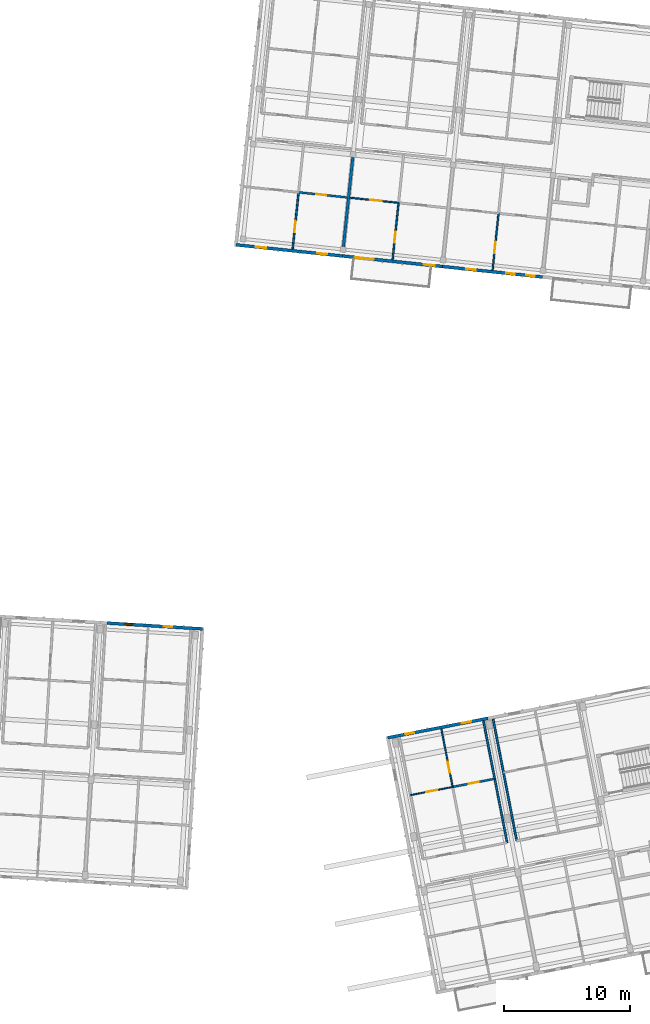
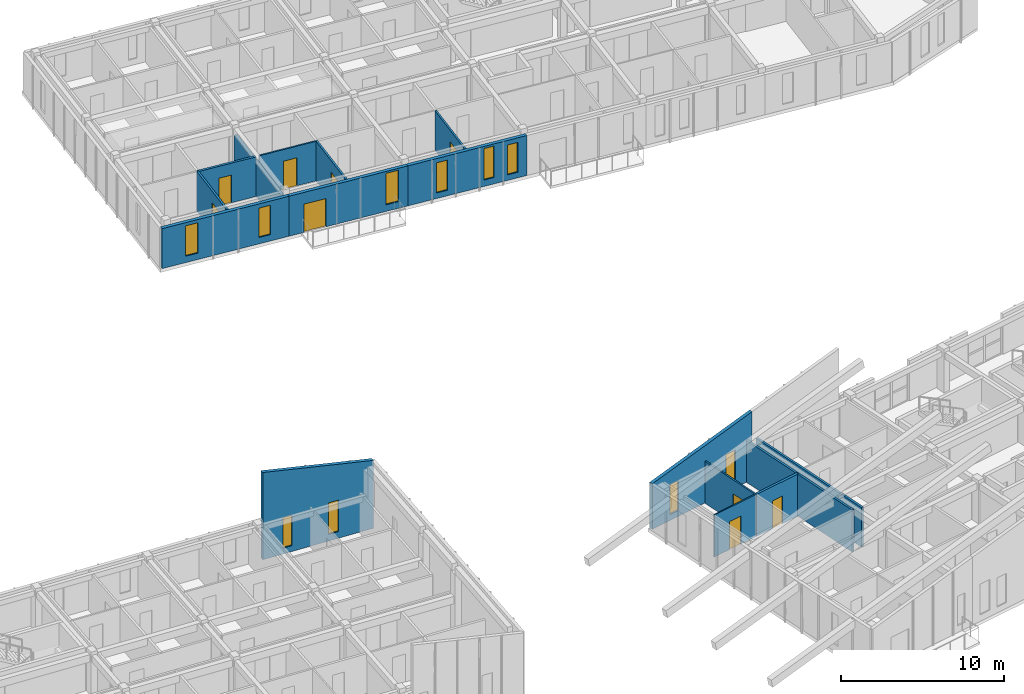
# One storey, part 29 of 64: 16 walls, 10 windows, 9 doors, 19 openings.
"""IFC4 building model written with IfcOpenShell, lengths in metres."""

from ifc_helpers import new_model, si_unit, direction, frame, frame_2d, origin, place, context, subcontext, project, spatial, polyline, rectangle, outline, extrude, material, layer, layer_set, type_object, element, fill, save


model = new_model("IFC4")

# Units and contexts
model_context = context("Model", 3, precision=1e-05, world=origin(), true_north=direction((0.0, 1.0)))
body_context = subcontext(model_context, "Body", "Model", "MODEL_VIEW")
ifc_project = project(units=[si_unit("LENGTHUNIT", "METRE"), si_unit("AREAUNIT", "SQUARE_METRE"), si_unit("VOLUMEUNIT", "CUBIC_METRE"), si_unit("PLANEANGLEUNIT", "RADIAN"), si_unit("MASSUNIT", "GRAM", prefix="KILO")], contexts=[model_context])

# Site, building, storey
site_placement = place(None, origin())
site = spatial("IfcSite", under=ifc_project, at=site_placement, CompositionType="ELEMENT")
building_placement = place(site_placement, origin())
building = spatial("IfcBuilding", under=site, at=building_placement, Name="Kestramere Prow Commons", CompositionType="ELEMENT")
storey_placement = place(building_placement, frame((0.0, 0.0, 24.64990234375)))
storey = spatial("IfcBuildingStorey", under=building, at=storey_placement, Name="L07", CompositionType="ELEMENT", Elevation=24.64990234375)

# Wall, openings, windows
ifc_material_1 = material(Name="Fluoropolymer Standing-Seam Zinc-Aluminium Cladding", Category="aluminium")
ifc_layer_1 = layer(ifc_material_1, 0.239990234375)
ifc_layer_set_1 = layer_set([ifc_layer_1], Name="Fluoropolymer Standing-Seam Zinc-Aluminium Cladding")
wall_type_1 = type_object("IfcWallType", Name="EW-SEAM-240", PredefinedType="SOLIDWALL", material=ifc_layer_set_1)
wall_1_placement = place(storey_placement, frame((117.9013671875, 93.441650390625, 0.0), z_axis=(0.0, 0.0, 1.0), x_axis=(-0.994521760736, 0.104529744196, 0.0)))
wall_1 = element("IfcWall", 1, at=wall_1_placement, inside=storey, type_object=wall_type_1, Name="Block B L07 South Standing-Seam Wall 1", PredefinedType="SOLIDWALL", context=body_context, shape_type="SweptSolid", body=[
    extrude(rectangle(XDim=8.52490234375, YDim=0.239990234375, at=frame_2d((4.262451171875, 0.0))), origin(), (0.0, 0.0, 1.0), 3.0),
])
opening_1_placement = place(wall_1_placement, frame((1.234619140625, 0.0, 0.47998046875)))
opening_1 = element("IfcOpeningElement", 2, at=opening_1_placement, cuts=wall_1, Name="Opening WN-11", PredefinedType="OPENING", context=body_context, shape_type="SweptSolid", body=[
    extrude(rectangle(XDim=0.780029296875, YDim=2.199951171875, at=frame_2d((0.39013671875, 1.10009765625))), frame((0.0, 0.135009765625, 0.0), z_axis=(0.0, -1.0, 0.0), x_axis=(1.0, 0.0, 0.0)), (0.0, 0.0, 1.0), 0.27001953125),
])
opening_2_placement = place(wall_1_placement, frame((6.107666015625, 0.0, 0.47998046875)))
opening_2 = element("IfcOpeningElement", 3, at=opening_2_placement, cuts=wall_1, Name="Opening WN-14", PredefinedType="OPENING", context=body_context, shape_type="SweptSolid", body=[
    extrude(rectangle(XDim=0.840087890625, YDim=2.280029296875, at=frame_2d((0.419921875, 1.14013671875))), frame((0.0, 0.135009765625, 0.0), z_axis=(0.0, -1.0, 0.0), x_axis=(1.0, 0.0, 0.0)), (0.0, 0.0, 1.0), 0.27001953125),
])
ifc_material_2 = material(Name="Low-E Laminated Double Glazing", Category="glass")
window_type_1 = type_object("IfcWindowType", Name="WN-NAR-780A", PartitioningType="SINGLE_PANEL", PredefinedType="WINDOW", material=ifc_material_2)
window_1_placement = place(opening_1_placement, origin())
window_1 = element("IfcWindow", 4, at=window_1_placement, inside=storey, type_object=window_type_1, Name="WN-B-L07-S-0-00", OverallHeight=2.199951171875, OverallWidth=0.780029296875, PartitioningType="SINGLE_PANEL", PredefinedType="WINDOW", context=body_context, shape_type="SweptSolid", body=[
    extrude(rectangle(XDim=0.780029296875, YDim=2.199951171875, at=frame_2d((0.39013671875, 1.10009765625))), frame((0.0, 0.030029296875, 0.0), z_axis=(0.0, -1.0, 0.0), x_axis=(1.0, 0.0, 0.0)), (0.0, 0.0, 1.0), 0.06005859375),
])
fill(opening_1, window_1)
window_type_2 = type_object("IfcWindowType", Name="WN-NAR-840A", PartitioningType="DOUBLE_PANEL_VERTICAL", PredefinedType="WINDOW", material=ifc_material_2)
window_2_placement = place(opening_2_placement, origin())
window_2 = element("IfcWindow", 5, at=window_2_placement, inside=storey, type_object=window_type_2, Name="WN-B-L07-S-0-10", OverallHeight=2.280029296875, OverallWidth=0.840087890625, PartitioningType="SINGLE_PANEL", PredefinedType="WINDOW", context=body_context, shape_type="SweptSolid", body=[
    extrude(rectangle(XDim=0.840087890625, YDim=2.280029296875, at=frame_2d((0.419921875, 1.14013671875))), frame((0.0, 0.030029296875, 0.0), z_axis=(0.0, -1.0, 0.0), x_axis=(1.0, 0.0, 0.0)), (0.0, 0.0, 1.0), 0.06005859375),
])
fill(opening_2, window_2)

# Wall, openings, door, window
wall_2_placement = place(storey_placement, frame((125.857421875, 92.60546875, 0.0), z_axis=(0.0, 0.0, 1.0), x_axis=(-0.994522329422, 0.104524333444, 0.0)))
wall_2 = element("IfcWall", 6, at=wall_2_placement, inside=storey, type_object=wall_type_1, Name="Block B L07 South Standing-Seam Wall 2", PredefinedType="SOLIDWALL", context=body_context, shape_type="SweptSolid", body=[
    extrude(rectangle(XDim=7.999755859375, YDim=0.239990234375, at=frame_2d((4.0, 0.0))), origin(), (0.0, 0.0, 1.0), 3.0),
])
opening_3_placement = place(wall_2_placement, frame((5.4951171875, 0.0, 0.0)))
opening_3 = element("IfcOpeningElement", 7, at=opening_3_placement, cuts=wall_2, Name="Opening GD-BAL-01", PredefinedType="OPENING", context=body_context, shape_type="SweptSolid", body=[
    extrude(rectangle(XDim=1.5, YDim=2.1201171875, at=frame_2d((0.75, 1.06005859375))), frame((0.0, 0.135009765625, 0.0), z_axis=(0.0, -1.0, 0.0), x_axis=(1.0, 0.0, 0.0)), (0.0, 0.0, 1.0), 0.27001953125),
])
opening_4_placement = place(wall_2_placement, frame((0.6298828125, 0.0, 0.5)))
opening_4 = element("IfcOpeningElement", 8, at=opening_4_placement, cuts=wall_2, Name="Opening WN-15", PredefinedType="OPENING", context=body_context, shape_type="SweptSolid", body=[
    extrude(rectangle(XDim=0.860107421875, YDim=2.360107421875, at=frame_2d((0.43017578125, 1.18017578125))), frame((0.0, 0.135009765625, 0.0), z_axis=(0.0, -1.0, 0.0), x_axis=(1.0, 0.0, 0.0)), (0.0, 0.0, 1.0), 0.27001953125),
])
ifc_material_3 = material(Name="Thermally-Broken Anodised Aluminium Glazed", Category="aluminium")
door_type_1 = type_object("IfcDoorType", Name="GD-BAL-1500", OperationType="SLIDING_TO_RIGHT", PredefinedType="DOOR", material=ifc_material_3)
door_1_placement = place(opening_3_placement, origin())
door_1 = element("IfcDoor", 9, at=door_1_placement, inside=storey, type_object=door_type_1, Name="Block B L07 Balcony Door 2", OperationType="SLIDING_TO_RIGHT", OverallHeight=2.1201171875, OverallWidth=1.5, PredefinedType="DOOR", context=body_context, shape_type="SweptSolid", body=[
    extrude(rectangle(XDim=1.5, YDim=2.1201171875, at=frame_2d((0.75, 1.06005859375))), frame((0.0, 0.02490234375, 0.0), z_axis=(0.0, -1.0, 0.0), x_axis=(1.0, 0.0, 0.0)), (0.0, 0.0, 1.0), 0.050048828125),
])
fill(opening_3, door_1)
window_type_3 = type_object("IfcWindowType", Name="WN-NAR-860A", PartitioningType="DOUBLE_PANEL_VERTICAL", PredefinedType="WINDOW", material=ifc_material_2)
window_3_placement = place(opening_4_placement, origin())
window_3 = element("IfcWindow", 10, at=window_3_placement, inside=storey, type_object=window_type_3, Name="WN-B-L07-SR-1", OverallHeight=2.360107421875, OverallWidth=0.860107421875, PartitioningType="SINGLE_PANEL", PredefinedType="WINDOW", context=body_context, shape_type="SweptSolid", body=[
    extrude(rectangle(XDim=0.860107421875, YDim=2.360107421875, at=frame_2d((0.43017578125, 1.18017578125))), frame((0.0, 0.030029296875, 0.0), z_axis=(0.0, -1.0, 0.0), x_axis=(1.0, 0.0, 0.0)), (0.0, 0.0, 1.0), 0.06005859375),
])
fill(opening_4, window_3)

# Wall, openings, windows
wall_3_placement = place(storey_placement, frame((133.813720703125, 91.769287109375, 0.0), z_axis=(0.0, 0.0, 1.0), x_axis=(-0.994522662826, 0.104521161134, 0.0)))
wall_3 = element("IfcWall", 11, at=wall_3_placement, inside=storey, type_object=wall_type_1, Name="Block B L07 South Standing-Seam Wall 3", PredefinedType="SOLIDWALL", context=body_context, shape_type="SweptSolid", body=[
    extrude(rectangle(XDim=8.0, YDim=0.239990234375, at=frame_2d((4.0, 0.0))), origin(), (0.0, 0.0, 1.0), 3.0),
])
opening_5_placement = place(wall_3_placement, frame((0.610107421875, 0.0, 0.419921875)))
opening_5 = element("IfcOpeningElement", 12, at=opening_5_placement, cuts=wall_3, Name="Opening WN-06", PredefinedType="OPENING", context=body_context, shape_type="SweptSolid", body=[
    extrude(rectangle(XDim=0.679931640625, YDim=2.239990234375, at=frame_2d((0.33984375, 1.1201171875))), frame((0.0, 0.135009765625, 0.0), z_axis=(0.0, -1.0, 0.0), x_axis=(1.0, 0.0, 0.0)), (0.0, 0.0, 1.0), 0.27001953125),
])
opening_6_placement = place(wall_3_placement, frame((2.199951171875, 0.0, 0.47998046875)))
opening_6 = element("IfcOpeningElement", 13, at=opening_6_placement, cuts=wall_3, Name="Opening WN-07", PredefinedType="OPENING", context=body_context, shape_type="SweptSolid", body=[
    extrude(rectangle(XDim=0.699951171875, YDim=2.360107421875, at=frame_2d((0.35009765625, 1.18017578125))), frame((0.0, 0.135009765625, 0.0), z_axis=(0.0, -1.0, 0.0), x_axis=(1.0, 0.0, 0.0)), (0.0, 0.0, 1.0), 0.27001953125),
])
opening_7_placement = place(wall_3_placement, frame((5.340576171875, 0.0, 0.419921875)))
opening_7 = element("IfcOpeningElement", 14, at=opening_7_placement, cuts=wall_3, Name="Opening WN-09", PredefinedType="OPENING", context=body_context, shape_type="SweptSolid", body=[
    extrude(rectangle(XDim=0.739990234375, YDim=2.260009765625, at=frame_2d((0.3701171875, 1.1298828125))), frame((0.0, 0.135009765625, 0.0), z_axis=(0.0, -1.0, 0.0), x_axis=(1.0, 0.0, 0.0)), (0.0, 0.0, 1.0), 0.27001953125),
])
window_type_4 = type_object("IfcWindowType", Name="WN-NAR-680A", PartitioningType="SINGLE_PANEL", PredefinedType="WINDOW", material=ifc_material_2)
window_4_placement = place(opening_5_placement, origin())
window_4 = element("IfcWindow", 15, at=window_4_placement, inside=storey, type_object=window_type_4, Name="WN-B-L07-S-2-00", OverallHeight=2.239990234375, OverallWidth=0.679931640625, PartitioningType="SINGLE_PANEL", PredefinedType="WINDOW", context=body_context, shape_type="SweptSolid", body=[
    extrude(rectangle(XDim=0.679931640625, YDim=2.239990234375, at=frame_2d((0.33984375, 1.1201171875))), frame((0.0, 0.030029296875, 0.0), z_axis=(0.0, -1.0, 0.0), x_axis=(1.0, 0.0, 0.0)), (0.0, 0.0, 1.0), 0.06005859375),
])
fill(opening_5, window_4)
window_type_5 = type_object("IfcWindowType", Name="WN-NAR-700A", PartitioningType="SINGLE_PANEL", PredefinedType="WINDOW", material=ifc_material_2)
window_5_placement = place(opening_6_placement, origin())
window_5 = element("IfcWindow", 16, at=window_5_placement, inside=storey, type_object=window_type_5, Name="WN-B-L07-S-2-01", OverallHeight=2.360107421875, OverallWidth=0.699951171875, PartitioningType="SINGLE_PANEL", PredefinedType="WINDOW", context=body_context, shape_type="SweptSolid", body=[
    extrude(rectangle(XDim=0.699951171875, YDim=2.360107421875, at=frame_2d((0.35009765625, 1.18017578125))), frame((0.0, 0.030029296875, 0.0), z_axis=(0.0, -1.0, 0.0), x_axis=(1.0, 0.0, 0.0)), (0.0, 0.0, 1.0), 0.06005859375),
])
fill(opening_6, window_5)
window_type_6 = type_object("IfcWindowType", Name="WN-NAR-740A", PartitioningType="SINGLE_PANEL", PredefinedType="WINDOW", material=ifc_material_2)
window_6_placement = place(opening_7_placement, origin())
window_6 = element("IfcWindow", 17, at=window_6_placement, inside=storey, type_object=window_type_6, Name="WN-B-L07-S-2-10", OverallHeight=2.260009765625, OverallWidth=0.739990234375, PartitioningType="SINGLE_PANEL", PredefinedType="WINDOW", context=body_context, shape_type="SweptSolid", body=[
    extrude(rectangle(XDim=0.739990234375, YDim=2.260009765625, at=frame_2d((0.3701171875, 1.1298828125))), frame((0.0, 0.030029296875, 0.0), z_axis=(0.0, -1.0, 0.0), x_axis=(1.0, 0.0, 0.0)), (0.0, 0.0, 1.0), 0.06005859375),
])
fill(opening_7, window_6)

wall_4_placement = place(storey_placement, frame((99.181640625, 64.235595703125, 0.0), z_axis=(0.0, 0.0, 1.0), x_axis=(0.998133711765, -0.06106630362, 0.0)))
wall_4 = element("IfcWall", 18, at=wall_4_placement, inside=storey, type_object=wall_type_1, Name="Block C L07 North Standing-Seam Wall 6", PredefinedType="SOLIDWALL", context=body_context, shape_type="SweptSolid", body=[
    extrude(outline(polyline([(0.0, 0.0), (7.60009765625, 0.0), (7.60009765625, 5.085205078125), (0.0, 6.547607421875), (0.0, 0.0)])), frame((0.0, 0.1201171875, 0.0), z_axis=(0.0, -1.0, 0.0), x_axis=(1.0, 0.0, 0.0)), (0.0, 0.0, 1.0), 0.239990234375),
])
opening_8_placement = place(wall_4_placement, frame((1.3759765625, 0.0, 0.43994140625)))
opening_8 = element("IfcOpeningElement", 19, at=opening_8_placement, cuts=wall_4, Name="Opening WN-03", PredefinedType="OPENING", context=body_context, shape_type="SweptSolid", body=[
    extrude(rectangle(XDim=0.6201171875, YDim=2.280029296875, at=frame_2d((0.31005859375, 1.14013671875))), frame((0.0, 0.135009765625, 0.0), z_axis=(0.0, -1.0, 0.0), x_axis=(1.0, 0.0, 0.0)), (0.0, 0.0, 1.0), 0.27001953125),
])
opening_9_placement = place(wall_4_placement, frame((4.504638671875, 0.0, 0.5)))
opening_9 = element("IfcOpeningElement", 20, at=opening_9_placement, cuts=wall_4, Name="Opening WN-07", PredefinedType="OPENING", context=body_context, shape_type="SweptSolid", body=[
    extrude(rectangle(XDim=0.699951171875, YDim=2.360107421875, at=frame_2d((0.35009765625, 1.18017578125))), frame((0.0, 0.135009765625, 0.0), z_axis=(0.0, -1.0, 0.0), x_axis=(1.0, 0.0, 0.0)), (0.0, 0.0, 1.0), 0.27001953125),
])
window_type_7 = type_object("IfcWindowType", Name="WN-NAR-620A", PartitioningType="SINGLE_PANEL", PredefinedType="WINDOW", material=ifc_material_2)
window_7_placement = place(opening_8_placement, origin())
window_7 = element("IfcWindow", 21, at=window_7_placement, inside=storey, type_object=window_type_7, Name="WN-C-L07-N-5-0", OverallHeight=2.280029296875, OverallWidth=0.6201171875, PartitioningType="SINGLE_PANEL", PredefinedType="WINDOW", context=body_context, shape_type="SweptSolid", body=[
    extrude(rectangle(XDim=0.6201171875, YDim=2.280029296875, at=frame_2d((0.31005859375, 1.14013671875))), frame((0.0, 0.030029296875, 0.0), z_axis=(0.0, -1.0, 0.0), x_axis=(1.0, 0.0, 0.0)), (0.0, 0.0, 1.0), 0.06005859375),
])
fill(opening_8, window_7)
window_8_placement = place(opening_9_placement, origin())
window_8 = element("IfcWindow", 22, at=window_8_placement, inside=storey, type_object=window_type_5, Name="WN-C-L07-N-5-1", OverallHeight=2.360107421875, OverallWidth=0.699951171875, PartitioningType="SINGLE_PANEL", PredefinedType="WINDOW", context=body_context, shape_type="SweptSolid", body=[
    extrude(rectangle(XDim=0.699951171875, YDim=2.360107421875, at=frame_2d((0.35009765625, 1.18017578125))), frame((0.0, 0.030029296875, 0.0), z_axis=(0.0, -1.0, 0.0), x_axis=(1.0, 0.0, 0.0)), (0.0, 0.0, 1.0), 0.06005859375),
])
fill(opening_9, window_8)

wall_5_placement = place(storey_placement, frame((121.5048828125, 55.105224609375, 0.0), z_axis=(0.0, 0.0, 1.0), x_axis=(0.981628367112, 0.190802905848, 0.0)))
wall_5 = element("IfcWall", 23, at=wall_5_placement, inside=storey, type_object=wall_type_1, Name="Block D L07 North Standing-Seam Wall 2", PredefinedType="SOLIDWALL", context=body_context, shape_type="SweptSolid", body=[
    extrude(outline(polyline([(0.0, 0.0), (8.125, 0.0), (8.125, 5.0908203125), (0.0, 3.4091796875), (0.0, 0.0)])), frame((0.0, 0.1201171875, 0.0), z_axis=(0.0, -1.0, 0.0), x_axis=(1.0, 0.0, 0.0)), (0.0, 0.0, 1.0), 0.239990234375),
])
opening_10_placement = place(wall_5_placement, frame((1.446533203125, 0.0, 0.43994140625)))
opening_10 = element("IfcOpeningElement", 24, at=opening_10_placement, cuts=wall_5, Name="Opening WN-06", PredefinedType="OPENING", context=body_context, shape_type="SweptSolid", body=[
    extrude(rectangle(XDim=0.679931640625, YDim=2.239990234375, at=frame_2d((0.33984375, 1.1201171875))), frame((0.0, 0.135009765625, 0.0), z_axis=(0.0, -1.0, 0.0), x_axis=(1.0, 0.0, 0.0)), (0.0, 0.0, 1.0), 0.27001953125),
])
opening_11_placement = place(wall_5_placement, frame((6.0009765625, 0.0, 0.5)))
opening_11 = element("IfcOpeningElement", 25, at=opening_11_placement, cuts=wall_5, Name="Opening WN-10", PredefinedType="OPENING", context=body_context, shape_type="SweptSolid", body=[
    extrude(rectangle(XDim=0.760009765625, YDim=2.340087890625, at=frame_2d((0.3798828125, 1.169921875))), frame((0.0, 0.135009765625, 0.0), z_axis=(0.0, -1.0, 0.0), x_axis=(1.0, 0.0, 0.0)), (0.0, 0.0, 1.0), 0.27001953125),
])
window_9_placement = place(opening_10_placement, origin())
window_9 = element("IfcWindow", 26, at=window_9_placement, inside=storey, type_object=window_type_4, Name="WN-D-L07-N-1-0", OverallHeight=2.239990234375, OverallWidth=0.679931640625, PartitioningType="SINGLE_PANEL", PredefinedType="WINDOW", context=body_context, shape_type="SweptSolid", body=[
    extrude(rectangle(XDim=0.679931640625, YDim=2.239990234375, at=frame_2d((0.33984375, 1.1201171875))), frame((0.0, 0.030029296875, 0.0), z_axis=(0.0, -1.0, 0.0), x_axis=(1.0, 0.0, 0.0)), (0.0, 0.0, 1.0), 0.06005859375),
])
fill(opening_10, window_9)
window_type_8 = type_object("IfcWindowType", Name="WN-NAR-760A", PartitioningType="SINGLE_PANEL", PredefinedType="WINDOW", material=ifc_material_2)
window_10_placement = place(opening_11_placement, origin())
window_10 = element("IfcWindow", 27, at=window_10_placement, inside=storey, type_object=window_type_8, Name="WN-D-L07-N-1-1", OverallHeight=2.340087890625, OverallWidth=0.760009765625, PartitioningType="SINGLE_PANEL", PredefinedType="WINDOW", context=body_context, shape_type="SweptSolid", body=[
    extrude(rectangle(XDim=0.760009765625, YDim=2.340087890625, at=frame_2d((0.3798828125, 1.169921875))), frame((0.0, 0.030029296875, 0.0), z_axis=(0.0, -1.0, 0.0), x_axis=(1.0, 0.0, 0.0)), (0.0, 0.0, 1.0), 0.06005859375),
])
fill(opening_11, window_10)

# Wall, opening, door
ifc_material_4 = material(Name="Gypsum Acoustic Drywall")
ifc_layer_2 = layer(ifc_material_4, 0.110107421875)
ifc_layer_set_2 = layer_set([ifc_layer_2], Name="Gypsum Acoustic Drywall")
wall_type_2 = type_object("IfcWallType", Name="W-PART-110", PredefinedType="PARTITIONING", material=ifc_layer_set_2)
wall_6_placement = place(storey_placement, frame((118.50439453125, 98.0791015625, 0.0), z_axis=(0.0, 0.0, 1.0), x_axis=(0.994517841934, -0.104567021925, 0.0)))
wall_6 = element("IfcWall", 28, at=wall_6_placement, inside=storey, type_object=wall_type_2, Name="Interior Partition PW-B-L07-MIDS1-1", PredefinedType="PARTITIONING", context=body_context, shape_type="SweptSolid", body=[
    extrude(rectangle(XDim=3.885009765625, YDim=0.110107421875, at=frame_2d((1.9423828125, 0.0))), origin(), (0.0, 0.0, 1.0), 2.97021484375),
])
opening_12_placement = place(wall_6_placement, frame((1.625, 0.0, 0.0)))
opening_12 = element("IfcOpeningElement", 29, at=opening_12_placement, cuts=wall_6, Name="Opening ID-08", PredefinedType="OPENING", context=body_context, shape_type="SweptSolid", body=[
    extrude(rectangle(XDim=0.89990234375, YDim=2.10009765625, at=frame_2d((0.449951171875, 1.050048828125))), frame((0.0, 0.070068359375, 0.0), z_axis=(0.0, -1.0, 0.0), x_axis=(1.0, 0.0, 0.0)), (0.0, 0.0, 1.0), 0.14013671875),
])
ifc_material_5 = material(Name="Engineered Timber Flush Door", Category="wood")
door_type_2 = type_object("IfcDoorType", Name="D-RM-01", OperationType="NOTDEFINED", PredefinedType="DOOR", material=ifc_material_5)
door_2_placement = place(opening_12_placement, origin())
door_2 = element("IfcDoor", 30, at=door_2_placement, inside=storey, type_object=door_type_2, Name="Interior Door DR-B-L07-KL-S1", OperationType="SINGLE_SWING_RIGHT", OverallHeight=2.10009765625, OverallWidth=0.89990234375, PredefinedType="DOOR", context=body_context, shape_type="SweptSolid", body=[
    extrude(rectangle(XDim=0.89990234375, YDim=2.10009765625, at=frame_2d((0.449951171875, 1.050048828125))), frame((0.0, 0.02490234375, 0.0), z_axis=(0.0, -1.0, 0.0), x_axis=(1.0, 0.0, 0.0)), (0.0, 0.0, 1.0), 0.050048828125),
])
fill(opening_12, door_2)

wall_7_placement = place(storey_placement, frame((126.671142578125, 51.194091796875, 0.0), z_axis=(0.0, 0.0, 1.0), x_axis=(-0.190787451574, 0.981631370893, 0.0)))
wall_7 = element("IfcWall", 31, at=wall_7_placement, inside=storey, type_object=wall_type_2, Name="Interior Partition PW-D-L07-LB-N1", PredefinedType="PARTITIONING", context=body_context, shape_type="SweptSolid", body=[
    extrude(rectangle(XDim=4.68994140625, YDim=0.110107421875, at=frame_2d((2.344970703125, 0.0))), origin(), (0.0, 0.0, 1.0), 3.150146484375),
])
opening_13_placement = place(wall_7_placement, frame((1.14990234375, 0.0, 0.0)))
opening_13 = element("IfcOpeningElement", 32, at=opening_13_placement, cuts=wall_7, Name="Opening ID-08", PredefinedType="OPENING", context=body_context, shape_type="SweptSolid", body=[
    extrude(rectangle(XDim=0.89990234375, YDim=2.10009765625, at=frame_2d((0.449951171875, 1.050048828125))), frame((0.0, 0.070068359375, 0.0), z_axis=(0.0, -1.0, 0.0), x_axis=(1.0, 0.0, 0.0)), (0.0, 0.0, 1.0), 0.14013671875),
])
door_3_placement = place(opening_13_placement, origin())
door_3 = element("IfcDoor", 33, at=door_3_placement, inside=storey, type_object=door_type_2, Name="Interior Door DR-D-L07-BED-N1", OperationType="SINGLE_SWING_LEFT", OverallHeight=2.10009765625, OverallWidth=0.89990234375, PredefinedType="DOOR", context=body_context, shape_type="SweptSolid", body=[
    extrude(rectangle(XDim=0.89990234375, YDim=2.10009765625, at=frame_2d((0.449951171875, 1.050048828125))), frame((0.0, 0.02490234375, 0.0), z_axis=(0.0, -1.0, 0.0), x_axis=(1.0, 0.0, 0.0)), (0.0, 0.0, 1.0), 0.050048828125),
])
fill(opening_13, door_3)

ifc_material_6 = material(Name="Lightweight Blockwork and Plaster", Category="masonry")
ifc_layer_3 = layer(ifc_material_6, 0.1201171875)
ifc_layer_set_3 = layer_set([ifc_layer_3], Name="Lightweight Blockwork and Plaster")
wall_type_3 = type_object("IfcWallType", Name="W-PART-120", PredefinedType="PARTITIONING", material=ifc_layer_set_3)
wall_8_placement = place(storey_placement, frame((129.849609375, 92.321533203125, 0.0), z_axis=(0.0, 0.0, 1.0), x_axis=(0.104539221709, 0.994520764552, 0.0)))
wall_8 = element("IfcWall", 34, at=wall_8_placement, inside=storey, type_object=wall_type_3, Name="Interior Partition PW-B-L07-LB-S2", PredefinedType="PARTITIONING", context=body_context, shape_type="SweptSolid", body=[
    extrude(rectangle(XDim=4.5400390625, YDim=0.1201171875, at=frame_2d((2.27001953125, 0.0))), origin(), (0.0, 0.0, 1.0), 2.97021484375),
])
opening_14_placement = place(wall_8_placement, frame((1.35009765625, 0.0, 0.0)))
opening_14 = element("IfcOpeningElement", 35, at=opening_14_placement, cuts=wall_8, Name="Opening ID-08", PredefinedType="OPENING", context=body_context, shape_type="SweptSolid", body=[
    extrude(rectangle(XDim=0.89990234375, YDim=2.10009765625, at=frame_2d((0.449951171875, 1.050048828125))), frame((0.0, 0.074951171875, 0.0), z_axis=(0.0, -1.0, 0.0), x_axis=(1.0, 0.0, 0.0)), (0.0, 0.0, 1.0), 0.150146484375),
])
door_4_placement = place(opening_14_placement, origin())
door_4 = element("IfcDoor", 36, at=door_4_placement, inside=storey, type_object=door_type_2, Name="Interior Door DR-B-L07-BED-S2", OperationType="SINGLE_SWING_LEFT", OverallHeight=2.10009765625, OverallWidth=0.89990234375, PredefinedType="DOOR", context=body_context, shape_type="SweptSolid", body=[
    extrude(rectangle(XDim=0.89990234375, YDim=2.10009765625, at=frame_2d((0.449951171875, 1.050048828125))), frame((0.0, 0.02490234375, 0.0), z_axis=(0.0, -1.0, 0.0), x_axis=(1.0, 0.0, 0.0)), (0.0, 0.0, 1.0), 0.050048828125),
])
fill(opening_14, door_4)

ifc_layer_4 = layer(ifc_material_6, 0.1298828125)
ifc_layer_set_4 = layer_set([ifc_layer_4], Name="Lightweight Blockwork and Plaster")
wall_type_4 = type_object("IfcWallType", Name="W-PART-130", PredefinedType="PARTITIONING", material=ifc_layer_set_4)
wall_9_placement = place(storey_placement, frame((121.8935546875, 93.15771484375, 0.0), z_axis=(0.0, 0.0, 1.0), x_axis=(0.104539221709, 0.994520764552, 0.0)))
wall_9 = element("IfcWall", 37, at=wall_9_placement, inside=storey, type_object=wall_type_4, Name="Interior Partition PW-B-L07-LB-S1", PredefinedType="PARTITIONING", context=body_context, shape_type="SweptSolid", body=[
    extrude(rectangle(XDim=4.5400390625, YDim=0.1298828125, at=frame_2d((2.27001953125, 0.0))), origin(), (0.0, 0.0, 1.0), 2.97021484375),
])
opening_15_placement = place(wall_9_placement, frame((1.35009765625, 0.0, 0.0)))
opening_15 = element("IfcOpeningElement", 38, at=opening_15_placement, cuts=wall_9, Name="Opening ID-10", PredefinedType="OPENING", context=body_context, shape_type="SweptSolid", body=[
    extrude(rectangle(XDim=0.8798828125, YDim=2.10009765625, at=frame_2d((0.43994140625, 1.050048828125))), frame((0.0, 0.079833984375, 0.0), z_axis=(0.0, -1.0, 0.0), x_axis=(1.0, 0.0, 0.0)), (0.0, 0.0, 1.0), 0.159912109375),
])
ifc_material_7 = material(Name="Engineered Timber Bedroom Door", Category="wood")
door_type_3 = type_object("IfcDoorType", Name="D-RM-03", OperationType="NOTDEFINED", PredefinedType="DOOR", material=ifc_material_7)
door_5_placement = place(opening_15_placement, origin())
door_5 = element("IfcDoor", 39, at=door_5_placement, inside=storey, type_object=door_type_3, Name="Interior Door DR-B-L07-BED-S1", OperationType="SINGLE_SWING_RIGHT", OverallHeight=2.10009765625, OverallWidth=0.8798828125, PredefinedType="DOOR", context=body_context, shape_type="SweptSolid", body=[
    extrude(rectangle(XDim=0.8798828125, YDim=2.10009765625, at=frame_2d((0.43994140625, 1.050048828125))), frame((0.0, 0.02490234375, 0.0), z_axis=(0.0, -1.0, 0.0), x_axis=(1.0, 0.0, 0.0)), (0.0, 0.0, 1.0), 0.050048828125),
])
fill(opening_15, door_5)

ifc_material_8 = material(Name="Masonry Compartment Wall", Category="masonry")
ifc_layer_5 = layer(ifc_material_8, 0.139892578125)
ifc_layer_set_5 = layer_set([ifc_layer_5], Name="Masonry Compartment Wall")
wall_type_5 = type_object("IfcWallType", Name="W-PART-140", PredefinedType="PARTITIONING", material=ifc_layer_set_5)
wall_10_placement = place(storey_placement, frame((113.937255859375, 93.994140625, 0.0), z_axis=(0.0, 0.0, 1.0), x_axis=(0.104544812834, 0.994520176824, 0.0)))
wall_10 = element("IfcWall", 40, at=wall_10_placement, inside=storey, type_object=wall_type_5, Name="Interior Partition PW-B-L07-LB-S0", PredefinedType="PARTITIONING", context=body_context, shape_type="SweptSolid", body=[
    extrude(rectangle(XDim=4.539794921875, YDim=0.139892578125, at=frame_2d((2.27001953125, 0.0))), origin(), (0.0, 0.0, 1.0), 2.97021484375),
])
opening_16_placement = place(wall_10_placement, frame((1.35009765625, 0.0, 0.0)))
opening_16 = element("IfcOpeningElement", 41, at=opening_16_placement, cuts=wall_10, Name="Opening ID-08", PredefinedType="OPENING", context=body_context, shape_type="SweptSolid", body=[
    extrude(rectangle(XDim=0.89990234375, YDim=2.10009765625, at=frame_2d((0.449951171875, 1.050048828125))), frame((0.0, 0.0849609375, 0.0), z_axis=(0.0, -1.0, 0.0), x_axis=(1.0, 0.0, 0.0)), (0.0, 0.0, 1.0), 0.169921875),
])
door_6_placement = place(opening_16_placement, origin())
door_6 = element("IfcDoor", 42, at=door_6_placement, inside=storey, type_object=door_type_2, Name="Interior Door DR-B-L07-BED-S0", OperationType="SINGLE_SWING_LEFT", OverallHeight=2.10009765625, OverallWidth=0.89990234375, PredefinedType="DOOR", context=body_context, shape_type="SweptSolid", body=[
    extrude(rectangle(XDim=0.89990234375, YDim=2.10009765625, at=frame_2d((0.449951171875, 1.050048828125))), frame((0.0, 0.02490234375, 0.0), z_axis=(0.0, -1.0, 0.0), x_axis=(1.0, 0.0, 0.0)), (0.0, 0.0, 1.0), 0.050048828125),
])
fill(opening_16, door_6)

# Walls
ifc_layer_6 = layer(ifc_material_8, 0.14990234375)
ifc_layer_set_6 = layer_set([ifc_layer_6], Name="Masonry Compartment Wall")
wall_type_6 = type_object("IfcWallType", Name="W-PART-150", PredefinedType="PARTITIONING", material=ifc_layer_set_6)
wall_11_placement = place(storey_placement, frame((131.0068359375, 46.760009765625, 0.0), z_axis=(0.0, 0.0, 1.0), x_axis=(-0.190809410863, 0.981627102685, 0.0)))
element("IfcWall", 43, at=wall_11_placement, inside=storey, type_object=wall_type_6, Name="Interior Partition PW-D-L07-NWR-1", PredefinedType="PARTITIONING", context=body_context, shape_type="SweptSolid", body=[
    extrude(rectangle(XDim=9.8701171875, YDim=0.14990234375, at=frame_2d((4.93505859375, 0.0))), origin(), (0.0, 0.0, 1.0), 3.150146484375),
])
wall_12_placement = place(storey_placement, frame((131.7724609375, 46.90869140625, 0.0), z_axis=(0.0, 0.0, 1.0), x_axis=(-0.1907855758, 0.981631735462, 0.0)))
element("IfcWall", 44, at=wall_12_placement, inside=storey, type_object=wall_type_6, Name="Interior Partition PW-D-L07-NWL-2", PredefinedType="PARTITIONING", context=body_context, shape_type="SweptSolid", body=[
    extrude(rectangle(XDim=9.8701171875, YDim=0.14990234375, at=frame_2d((4.93505859375, 0.0))), origin(), (0.0, 0.0, 1.0), 2.97021484375),
])

# Wall, opening, door
ifc_layer_7 = layer(ifc_material_4, 0.094970703125)
ifc_layer_set_7 = layer_set([ifc_layer_7], Name="Gypsum Acoustic Drywall")
wall_type_7 = type_object("IfcWallType", Name="W-PART-95", PredefinedType="PARTITIONING", material=ifc_layer_set_7)
wall_13_placement = place(storey_placement, frame((123.32373046875, 50.54345703125, 0.0), z_axis=(0.0, 0.0, 1.0), x_axis=(0.981629173664, 0.190798756314, 0.0)))
wall_13 = element("IfcWall", 45, at=wall_13_placement, inside=storey, type_object=wall_type_7, Name="Interior Partition PW-D-L07-MIDN1-1", PredefinedType="PARTITIONING", context=body_context, shape_type="SweptSolid", body=[
    extrude(rectangle(XDim=3.41015625, YDim=0.094970703125, at=frame_2d((1.705078125, 0.0))), origin(), (0.0, 0.0, 1.0), 3.150146484375),
])
opening_17_placement = place(wall_13_placement, frame((1.2548828125, 0.0, 0.0)))
opening_17 = element("IfcOpeningElement", 46, at=opening_17_placement, cuts=wall_13, Name="Opening ID-08", PredefinedType="OPENING", context=body_context, shape_type="SweptSolid", body=[
    extrude(rectangle(XDim=0.89990234375, YDim=2.10009765625, at=frame_2d((0.449951171875, 1.050048828125))), frame((0.0, 0.0625, 0.0), z_axis=(0.0, -1.0, 0.0), x_axis=(1.0, 0.0, 0.0)), (0.0, 0.0, 1.0), 0.125),
])
door_7_placement = place(opening_17_placement, origin())
door_7 = element("IfcDoor", 47, at=door_7_placement, inside=storey, type_object=door_type_2, Name="Interior Door DR-D-L07-KL-N1", OperationType="SINGLE_SWING_LEFT", OverallHeight=2.10009765625, OverallWidth=0.89990234375, PredefinedType="DOOR", context=body_context, shape_type="SweptSolid", body=[
    extrude(rectangle(XDim=0.89990234375, YDim=2.10009765625, at=frame_2d((0.449951171875, 1.050048828125))), frame((0.0, 0.02490234375, 0.0), z_axis=(0.0, -1.0, 0.0), x_axis=(1.0, 0.0, 0.0)), (0.0, 0.0, 1.0), 0.050048828125),
])
fill(opening_17, door_7)

ifc_material_9 = material(Name="Waterproof Sanitary Masonry Wall", Category="masonry")
ifc_layer_8 = layer(ifc_material_9, 0.1650390625)
ifc_layer_set_8 = layer_set([ifc_layer_8], Name="Waterproof Sanitary Masonry Wall")
wall_type_8 = type_object("IfcWallType", Name="W-PLUMB-150", PredefinedType="PLUMBINGWALL", material=ifc_layer_set_8)
wall_14_placement = place(storey_placement, frame((114.411865234375, 98.509033203125, 0.0), z_axis=(0.0, 0.0, 1.0), x_axis=(0.994524375082, -0.104504867671, 0.0)))
wall_14 = element("IfcWall", 48, at=wall_14_placement, inside=storey, type_object=wall_type_8, Name="Interior Partition PW-B-L07-MIDS2-0", PredefinedType="PLUMBINGWALL", context=body_context, shape_type="SweptSolid", body=[
    extrude(rectangle(XDim=3.885009765625, YDim=0.1650390625, at=frame_2d((1.9423828125, 0.0))), origin(), (0.0, 0.0, 1.0), 2.97021484375),
])
opening_18_placement = place(wall_14_placement, frame((1.39990234375, 0.0, 0.0)))
opening_18 = element("IfcOpeningElement", 49, at=opening_18_placement, cuts=wall_14, Name="Opening ID-11", PredefinedType="OPENING", context=body_context, shape_type="SweptSolid", body=[
    extrude(rectangle(XDim=0.820068359375, YDim=2.080078125, at=frame_2d((0.41015625, 1.0400390625))), frame((0.0, 0.097412109375, 0.0), z_axis=(0.0, -1.0, 0.0), x_axis=(1.0, 0.0, 0.0)), (0.0, 0.0, 1.0), 0.195068359375),
])
ifc_material_10 = material(Name="Moisture-Resistant Timber Bathroom Door", Category="wood")
door_type_4 = type_object("IfcDoorType", Name="D-BT-01", OperationType="NOTDEFINED", PredefinedType="DOOR", material=ifc_material_10)
door_8_placement = place(opening_18_placement, origin())
door_8 = element("IfcDoor", 50, at=door_8_placement, inside=storey, type_object=door_type_4, Name="Interior Door DR-B-L07-BTH-S0", OperationType="SINGLE_SWING_LEFT", OverallHeight=2.080078125, OverallWidth=0.820068359375, PredefinedType="DOOR", context=body_context, shape_type="SweptSolid", body=[
    extrude(rectangle(XDim=0.820068359375, YDim=2.080078125, at=frame_2d((0.41015625, 1.0400390625))), frame((0.0, 0.02490234375, 0.0), z_axis=(0.0, -1.0, 0.0), x_axis=(1.0, 0.0, 0.0)), (0.0, 0.0, 1.0), 0.050048828125),
])
fill(opening_18, door_8)

wall_15_placement = place(storey_placement, frame((126.671142578125, 51.194091796875, 0.0), z_axis=(0.0, 0.0, 1.0), x_axis=(0.981629173664, 0.190798756314, 0.0)))
wall_15 = element("IfcWall", 51, at=wall_15_placement, inside=storey, type_object=wall_type_8, Name="Interior Partition PW-D-L07-MIDN2-1", PredefinedType="PLUMBINGWALL", context=body_context, shape_type="SweptSolid", body=[
    extrude(rectangle(XDim=3.41015625, YDim=0.1650390625, at=frame_2d((1.705078125, 0.0))), origin(), (0.0, 0.0, 1.0), 3.150146484375),
])
opening_19_placement = place(wall_15_placement, frame((1.294921875, 0.0, 0.0)))
opening_19 = element("IfcOpeningElement", 52, at=opening_19_placement, cuts=wall_15, Name="Opening ID-11", PredefinedType="OPENING", context=body_context, shape_type="SweptSolid", body=[
    extrude(rectangle(XDim=0.820068359375, YDim=2.080078125, at=frame_2d((0.41015625, 1.0400390625))), frame((0.0, 0.097412109375, 0.0), z_axis=(0.0, -1.0, 0.0), x_axis=(1.0, 0.0, 0.0)), (0.0, 0.0, 1.0), 0.195068359375),
])
door_9_placement = place(opening_19_placement, origin())
door_9 = element("IfcDoor", 53, at=door_9_placement, inside=storey, type_object=door_type_4, Name="Interior Door DR-D-L07-BTH-N1", OperationType="SINGLE_SWING_RIGHT", OverallHeight=2.080078125, OverallWidth=0.820068359375, PredefinedType="DOOR", context=body_context, shape_type="SweptSolid", body=[
    extrude(rectangle(XDim=0.820068359375, YDim=2.080078125, at=frame_2d((0.41015625, 1.0400390625))), frame((0.0, 0.02490234375, 0.0), z_axis=(0.0, -1.0, 0.0), x_axis=(1.0, 0.0, 0.0)), (0.0, 0.0, 1.0), 0.050048828125),
])
fill(opening_19, door_9)

# Wall
ifc_material_11 = material(Name="Precast concrete C40/50", Category="concrete")
ifc_layer_9 = layer(ifc_material_11, 0.219970703125)
ifc_layer_set_9 = layer_set([ifc_layer_9], Name="Precast concrete C40/50")
wall_type_9 = type_object("IfcWallType", Name="W-XWALL-220", PredefinedType="SHEAR", material=ifc_layer_set_9)
wall_16_placement = place(storey_placement, frame((117.979736328125, 94.1875, 0.0), z_axis=(0.0, 0.0, 1.0), x_axis=(0.104519481265, 0.994522839374, 0.0)))
element("IfcWall", 54, at=wall_16_placement, inside=storey, type_object=wall_type_9, Name="Block B L07 Precast Cross-Wall 1", PredefinedType="SHEAR", context=body_context, shape_type="SweptSolid", body=[
    extrude(rectangle(XDim=7.14990234375, YDim=0.219970703125, at=frame_2d((3.574951171875, 0.0))), origin(), (0.0, 0.0, 1.0), 2.5),
])

save(model, "model.ifc")
